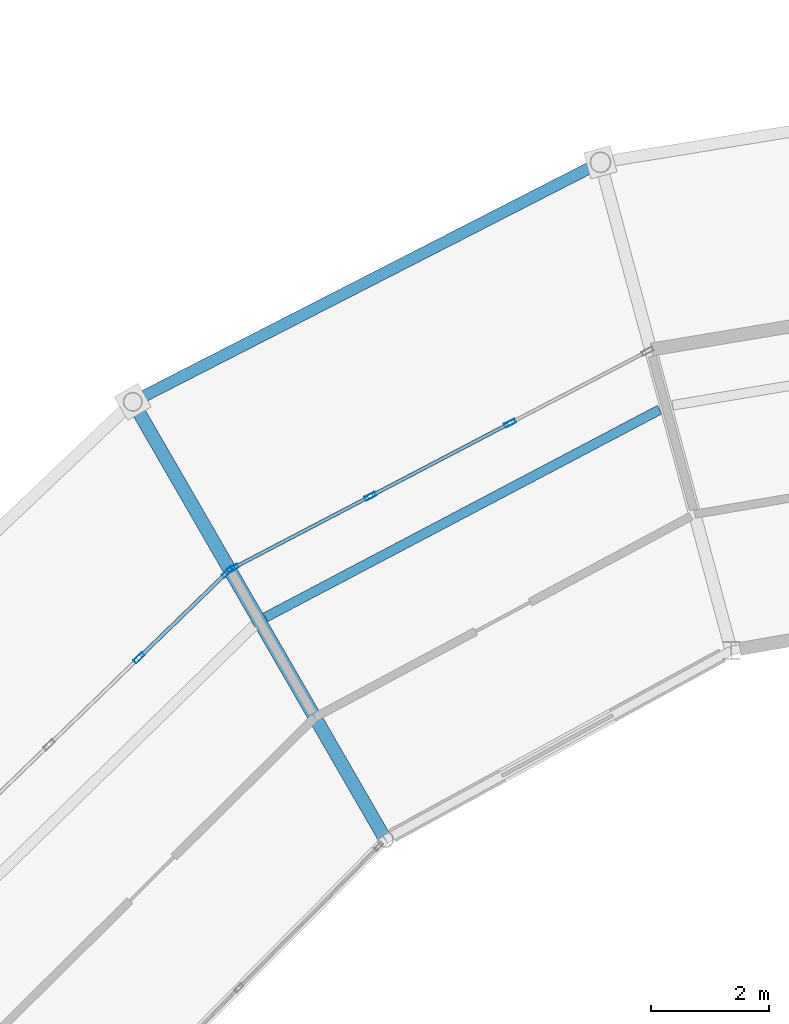
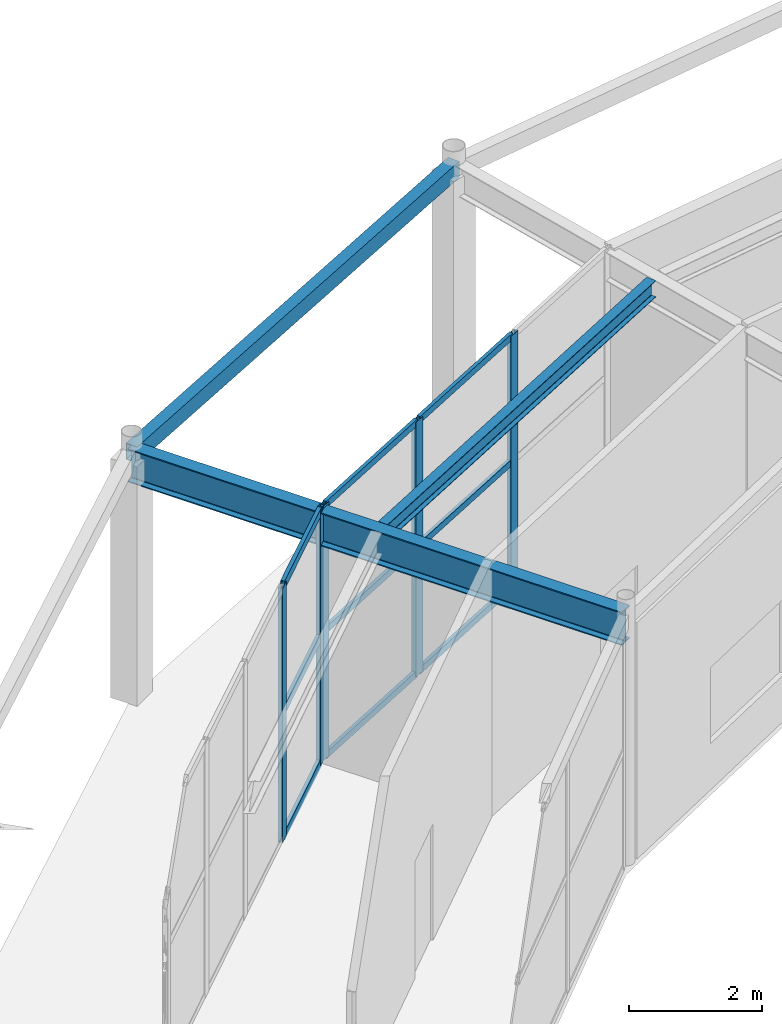
# One storey, part 80 of 144: 14 members, 3 beams, 2 elements without a shape of their own.
"""IFC4 building model written with IfcOpenShell, lengths in metres."""

from ifc_helpers import new_model, si_unit, direction, frame, origin, origin_2d, place, context, subcontext, project, spatial, hollow_rectangle, i_section, extrude, material, material_profile, profile_set, type_object, element, aggregate, save


model = new_model("IFC4")

# Units and contexts
model_context = context("Model", 3, precision=1e-05, world=origin(), true_north=direction((0.0, 1.0)))
body_context = subcontext(model_context, "Body", "Model", "MODEL_VIEW")
ifc_project = project(units=[si_unit("LENGTHUNIT", "METRE"), si_unit("AREAUNIT", "SQUARE_METRE"), si_unit("VOLUMEUNIT", "CUBIC_METRE"), si_unit("PLANEANGLEUNIT", "RADIAN"), si_unit("MASSUNIT", "GRAM", prefix="KILO")], contexts=[model_context])

# Site, building, storey
site_placement = place(None, origin())
site = spatial("IfcSite", under=ifc_project, at=site_placement, CompositionType="ELEMENT")
building_placement = place(site_placement, origin())
building = spatial("IfcBuilding", under=site, at=building_placement, Name="Karori Crest Natural Sciences Institute", CompositionType="ELEMENT")
storey_placement = place(building_placement, origin())
storey = spatial("IfcBuildingStorey", under=building, at=storey_placement, Name="L00", CompositionType="ELEMENT", Elevation=0.0)

# Beams
ifc_material_1 = material(Name="Structural steel AS/NZS 3679.1 Grade 350", Category="steel")
ifc_material_profile_1 = material_profile(ifc_material_1, i_section(OverallWidth=0.22900390625, OverallDepth=0.612060546875, WebThickness=0.011962890625, FlangeThickness=0.01953125, FilletRadius=0.013916015625, at=origin_2d()), Name="610UB125")
ifc_profile_set_1 = profile_set([ifc_material_profile_1], Name="Structural steel AS/NZS 3679.1 Grade 350")
beam_type_1 = type_object("IfcBeamType", Name="BT-04", PredefinedType="BEAM", material=ifc_profile_set_1)
beam_1_placement = place(storey_placement, frame((54.199951171875, 77.785888671875, 4.333984375), z_axis=(-0.499995216735, 0.866028165386, 0.0), x_axis=(-0.866028165386, -0.499995216735, 0.0)))
element("IfcBeam", 1, at=beam_1_placement, inside=storey, type_object=beam_type_1, Name="Beam B-0123", PredefinedType="BEAM", context=body_context, shape_type="SweptSolid", body=[
    extrude(i_section(OverallWidth=0.22900390625, OverallDepth=0.612060546875, WebThickness=0.011962890625, FlangeThickness=0.01953125, FilletRadius=0.013916015625, at=origin_2d()), origin(), (0.0, 0.0, 1.0), 8.60009765625),
])
ifc_material_profile_2 = material_profile(ifc_material_1, i_section(OverallWidth=0.166015625, OverallDepth=0.306884765625, WebThickness=0.006591796875, FlangeThickness=0.01171875, FilletRadius=0.010986328125, at=origin_2d()), Name="310UB46.2")
ifc_profile_set_2 = profile_set([ifc_material_profile_2], Name="Structural steel AS/NZS 3679.1 Grade 350")
beam_type_2 = type_object("IfcBeamType", Name="BT-09", PredefinedType="BEAM", material=ifc_profile_set_2)
beam_2_placement = place(storey_placement, frame((58.86572265625, 85.100341796875, 4.486572265625), z_axis=(-0.884748465601, -0.466068828197, 0.0), x_axis=(0.466068828197, -0.884748465601, 0.0)))
element("IfcBeam", 2, at=beam_2_placement, inside=storey, type_object=beam_type_2, Name="Beam B-0120", PredefinedType="BEAM", context=body_context, shape_type="SweptSolid", body=[
    extrude(i_section(OverallWidth=0.166015625, OverallDepth=0.306884765625, WebThickness=0.006591796875, FlangeThickness=0.01171875, FilletRadius=0.010986328125, at=origin_2d()), origin(), (0.0, 0.0, 1.0), 7.58349609375),
])
ifc_material_2 = material(Name="Hollow structural steel AS/NZS 1163 Grade C350", Category="steel")
ifc_material_profile_3 = material_profile(ifc_material_2, hollow_rectangle(XDim=0.199951171875, YDim=0.300048828125, WallThickness=0.010009765625, at=origin_2d()), Name="RHS300x200x10")
ifc_profile_set_3 = profile_set([ifc_material_profile_3], Name="Hollow structural steel AS/NZS 1163 Grade C350")
beam_type_3 = type_object("IfcBeamType", Name="BT-15", PredefinedType="SPANDREL", material=ifc_profile_set_3)
beam_3_placement = place(storey_placement, frame((57.85888671875, 89.309814453125, 4.489990234375), z_axis=(-0.890071733872, -0.455820478436, 0.0), x_axis=(0.455820478436, -0.890071733872, 0.0)))
element("IfcBeam", 3, at=beam_3_placement, inside=storey, type_object=beam_type_3, Name="Beam B-0117", PredefinedType="SPANDREL", context=body_context, shape_type="SweptSolid", body=[
    extrude(hollow_rectangle(XDim=0.199951171875, YDim=0.300048828125, WallThickness=0.010009765625, at=origin_2d()), origin(), (0.0, 0.0, 1.0), 8.94189453125),
])

# Curtain wall, members
ifc_material_3 = material(Name="Anodised architectural aluminium 6063-T6", Category="aluminium")
curtain_wall_type_1 = type_object("IfcCurtainWallType", Name="CWT-08", PredefinedType="NOTDEFINED", material=ifc_material_3)
curtain_wall_1_placement = place(storey_placement, origin())
curtain_wall_1 = element("IfcCurtainWall", 4, at=curtain_wall_1_placement, inside=storey, type_object=curtain_wall_type_1, Name="Curtain wall CW-0009", PredefinedType="NOTDEFINED")
ifc_material_profile_4 = material_profile(ifc_material_3, hollow_rectangle(XDim=0.074951171875, YDim=0.199951171875, WallThickness=0.0048828125, at=origin_2d()), Name="CWM200x75x5")
ifc_profile_set_4 = profile_set([ifc_material_profile_4], Name="Anodised architectural aluminium 6063-T6")
member_type_1 = type_object("IfcMemberType", Name="CWM-02", PredefinedType="MULLION", material=ifc_profile_set_4)
member_1_placement = place(storey_placement, frame((51.600830078125, 82.402587890625, 0.0), z_axis=(0.0, 0.0, 1.0), x_axis=(-0.46342574094, 0.88613575858, 0.0)))
member_1 = element("IfcMember", 5, at=member_1_placement, type_object=member_type_1, Name="CW-0009 mullion 1", PredefinedType="MULLION", context=body_context, shape_type="SweptSolid", body=[
    extrude(hollow_rectangle(XDim=0.074951171875, YDim=0.199951171875, WallThickness=0.0048828125, at=origin_2d()), origin(), (0.0, 0.0, 1.0), 4.679931640625),
])
member_2_placement = place(storey_placement, frame((53.943603515625, 83.6279296875, 0.0), z_axis=(0.0, 0.0, 1.0), x_axis=(-0.46342574094, 0.88613575858, 0.0)))
member_2 = element("IfcMember", 6, at=member_2_placement, type_object=member_type_1, Name="CW-0009 mullion 2", PredefinedType="MULLION", context=body_context, shape_type="SweptSolid", body=[
    extrude(hollow_rectangle(XDim=0.074951171875, YDim=0.199951171875, WallThickness=0.0048828125, at=origin_2d()), origin(), (0.0, 0.0, 1.0), 4.679931640625),
])
member_3_placement = place(storey_placement, frame((56.319580078125, 84.870361328125, 0.0), z_axis=(0.0, 0.0, 1.0), x_axis=(-0.46342574094, 0.88613575858, 0.0)))
member_3 = element("IfcMember", 7, at=member_3_placement, type_object=member_type_1, Name="CW-0009 mullion 3", PredefinedType="MULLION", context=body_context, shape_type="SweptSolid", body=[
    extrude(hollow_rectangle(XDim=0.074951171875, YDim=0.199951171875, WallThickness=0.0048828125, at=origin_2d()), origin(), (0.0, 0.0, 1.0), 4.679931640625),
])

curtain_wall_type_2 = type_object("IfcCurtainWallType", Name="CWT-09", PredefinedType="NOTDEFINED", material=ifc_material_3)
curtain_wall_2_placement = place(storey_placement, origin())
curtain_wall_2 = element("IfcCurtainWall", 8, at=curtain_wall_2_placement, inside=storey, type_object=curtain_wall_type_2, Name="Curtain wall CW-0010", PredefinedType="NOTDEFINED")
member_4_placement = place(storey_placement, frame((50.005126953125, 80.879150390625, 0.0), z_axis=(0.0, 0.0, 1.0), x_axis=(-0.695838899401, 0.718197901752, 0.0)))
member_4 = element("IfcMember", 9, at=member_4_placement, type_object=member_type_1, Name="CW-0010 mullion 4", PredefinedType="MULLION", context=body_context, shape_type="SweptSolid", body=[
    extrude(hollow_rectangle(XDim=0.074951171875, YDim=0.199951171875, WallThickness=0.0048828125, at=origin_2d()), origin(), (0.0, 0.0, 1.0), 4.679931640625),
])
member_5_placement = place(storey_placement, frame((51.5087890625, 82.3359375, 0.0), z_axis=(0.0, 0.0, 1.0), x_axis=(-0.695838899401, 0.718197901752, 0.0)))
member_5 = element("IfcMember", 10, at=member_5_placement, type_object=member_type_1, Name="CW-0010 mullion 5", PredefinedType="MULLION", context=body_context, shape_type="SweptSolid", body=[
    extrude(hollow_rectangle(XDim=0.074951171875, YDim=0.199951171875, WallThickness=0.0048828125, at=origin_2d()), origin(), (0.0, 0.0, 1.0), 4.679931640625),
])

# Member
ifc_material_profile_5 = material_profile(ifc_material_3, hollow_rectangle(XDim=0.06005859375, YDim=0.1201171875, WallThickness=0.00390625, at=origin_2d()), Name="CWT120x60x4")
ifc_profile_set_5 = profile_set([ifc_material_profile_5], Name="Anodised architectural aluminium 6063-T6")
member_type_2 = type_object("IfcMemberType", Name="CWT-TR1", PredefinedType="USERDEFINED", material=ifc_profile_set_5)
member_6_placement = place(storey_placement, frame((51.63427734375, 82.420166015625, 0.030029296875), z_axis=(0.886162466756, 0.463374667536, 0.0), x_axis=(-0.463374667536, 0.886162466756, 0.0)))
member_6 = element("IfcMember", 11, at=member_6_placement, type_object=member_type_2, Name="CW-0009 transom 1.1", ObjectType="TRANSOM", PredefinedType="USERDEFINED", context=body_context, shape_type="SweptSolid", body=[
    extrude(hollow_rectangle(XDim=0.06005859375, YDim=0.1201171875, WallThickness=0.00390625, at=origin_2d()), origin(), (0.0, 0.0, 1.0), 2.568603515625),
])

member_7_placement = place(storey_placement, frame((51.63427734375, 82.420166015625, 2.340087890625), z_axis=(0.886162466756, 0.463374667536, 0.0), x_axis=(-0.463374667536, 0.886162466756, 0.0)))
member_7 = element("IfcMember", 12, at=member_7_placement, type_object=member_type_2, Name="CW-0009 transom 1.2", ObjectType="TRANSOM", PredefinedType="USERDEFINED", context=body_context, shape_type="SweptSolid", body=[
    extrude(hollow_rectangle(XDim=0.06005859375, YDim=0.1201171875, WallThickness=0.00390625, at=origin_2d()), origin(), (0.0, 0.0, 1.0), 2.568603515625),
])

member_8_placement = place(storey_placement, frame((51.63427734375, 82.420166015625, 4.64990234375), z_axis=(0.886162466756, 0.463374667536, 0.0), x_axis=(-0.463374667536, 0.886162466756, 0.0)))
member_8 = element("IfcMember", 13, at=member_8_placement, type_object=member_type_2, Name="CW-0009 transom 1.3", ObjectType="TRANSOM", PredefinedType="USERDEFINED", context=body_context, shape_type="SweptSolid", body=[
    extrude(hollow_rectangle(XDim=0.06005859375, YDim=0.1201171875, WallThickness=0.00390625, at=origin_2d()), origin(), (0.0, 0.0, 1.0), 2.568603515625),
])

member_9_placement = place(storey_placement, frame((53.976806640625, 83.645263671875, 0.030029296875), z_axis=(0.886148517115, 0.463401343993, 0.0), x_axis=(-0.463401343993, 0.886148517115, 0.0)))
member_9 = element("IfcMember", 14, at=member_9_placement, type_object=member_type_2, Name="CW-0009 transom 2.1", ObjectType="TRANSOM", PredefinedType="USERDEFINED", context=body_context, shape_type="SweptSolid", body=[
    extrude(hollow_rectangle(XDim=0.06005859375, YDim=0.1201171875, WallThickness=0.00390625, at=origin_2d()), origin(), (0.0, 0.0, 1.0), 2.606201171875),
])

member_10_placement = place(storey_placement, frame((53.976806640625, 83.645263671875, 2.340087890625), z_axis=(0.886148517115, 0.463401343993, 0.0), x_axis=(-0.463401343993, 0.886148517115, 0.0)))
member_10 = element("IfcMember", 15, at=member_10_placement, type_object=member_type_2, Name="CW-0009 transom 2.2", ObjectType="TRANSOM", PredefinedType="USERDEFINED", context=body_context, shape_type="SweptSolid", body=[
    extrude(hollow_rectangle(XDim=0.06005859375, YDim=0.1201171875, WallThickness=0.00390625, at=origin_2d()), origin(), (0.0, 0.0, 1.0), 2.606201171875),
])

member_11_placement = place(storey_placement, frame((53.976806640625, 83.645263671875, 4.64990234375), z_axis=(0.886148517115, 0.463401343993, 0.0), x_axis=(-0.463401343993, 0.886148517115, 0.0)))
member_11 = element("IfcMember", 16, at=member_11_placement, type_object=member_type_2, Name="CW-0009 transom 2.3", ObjectType="TRANSOM", PredefinedType="USERDEFINED", context=body_context, shape_type="SweptSolid", body=[
    extrude(hollow_rectangle(XDim=0.06005859375, YDim=0.1201171875, WallThickness=0.00390625, at=origin_2d()), origin(), (0.0, 0.0, 1.0), 2.606201171875),
])

aggregate(curtain_wall_1, [member_1, member_2, member_3, member_6, member_7, member_8, member_9, member_10, member_11])

ifc_material_profile_6 = material_profile(ifc_material_3, hollow_rectangle(XDim=0.06494140625, YDim=0.14990234375, WallThickness=0.00390625, at=origin_2d()), Name="CWT150x65x4")
ifc_profile_set_6 = profile_set([ifc_material_profile_6], Name="Anodised architectural aluminium 6063-T6")
member_type_3 = type_object("IfcMemberType", Name="CWT-TR2", PredefinedType="USERDEFINED", material=ifc_profile_set_6)
member_12_placement = place(storey_placement, frame((50.031982421875, 80.9052734375, 0.032470703125), z_axis=(0.718206221639, 0.695830312073, 0.0), x_axis=(-0.695830312073, 0.718206221639, 0.0)))
member_12 = element("IfcMember", 17, at=member_12_placement, type_object=member_type_3, Name="CW-0010 transom 4.1", ObjectType="TRANSOM", PredefinedType="USERDEFINED", context=body_context, shape_type="SweptSolid", body=[
    extrude(hollow_rectangle(XDim=0.06494140625, YDim=0.14990234375, WallThickness=0.00390625, at=origin_2d()), origin(), (0.0, 0.0, 1.0), 2.0185546875),
])

member_13_placement = place(storey_placement, frame((50.031982421875, 80.9052734375, 2.340087890625), z_axis=(0.718206221639, 0.695830312073, 0.0), x_axis=(-0.695830312073, 0.718206221639, 0.0)))
member_13 = element("IfcMember", 18, at=member_13_placement, type_object=member_type_3, Name="CW-0010 transom 4.2", ObjectType="TRANSOM", PredefinedType="USERDEFINED", context=body_context, shape_type="SweptSolid", body=[
    extrude(hollow_rectangle(XDim=0.06494140625, YDim=0.14990234375, WallThickness=0.00390625, at=origin_2d()), origin(), (0.0, 0.0, 1.0), 2.0185546875),
])

member_14_placement = place(storey_placement, frame((50.031982421875, 80.9052734375, 4.6474609375), z_axis=(0.718206221639, 0.695830312073, 0.0), x_axis=(-0.695830312073, 0.718206221639, 0.0)))
member_14 = element("IfcMember", 19, at=member_14_placement, type_object=member_type_3, Name="CW-0010 transom 4.3", ObjectType="TRANSOM", PredefinedType="USERDEFINED", context=body_context, shape_type="SweptSolid", body=[
    extrude(hollow_rectangle(XDim=0.06494140625, YDim=0.14990234375, WallThickness=0.00390625, at=origin_2d()), origin(), (0.0, 0.0, 1.0), 2.0185546875),
])

aggregate(curtain_wall_2, [member_4, member_5, member_12, member_13, member_14])

save(model, "model.ifc")
